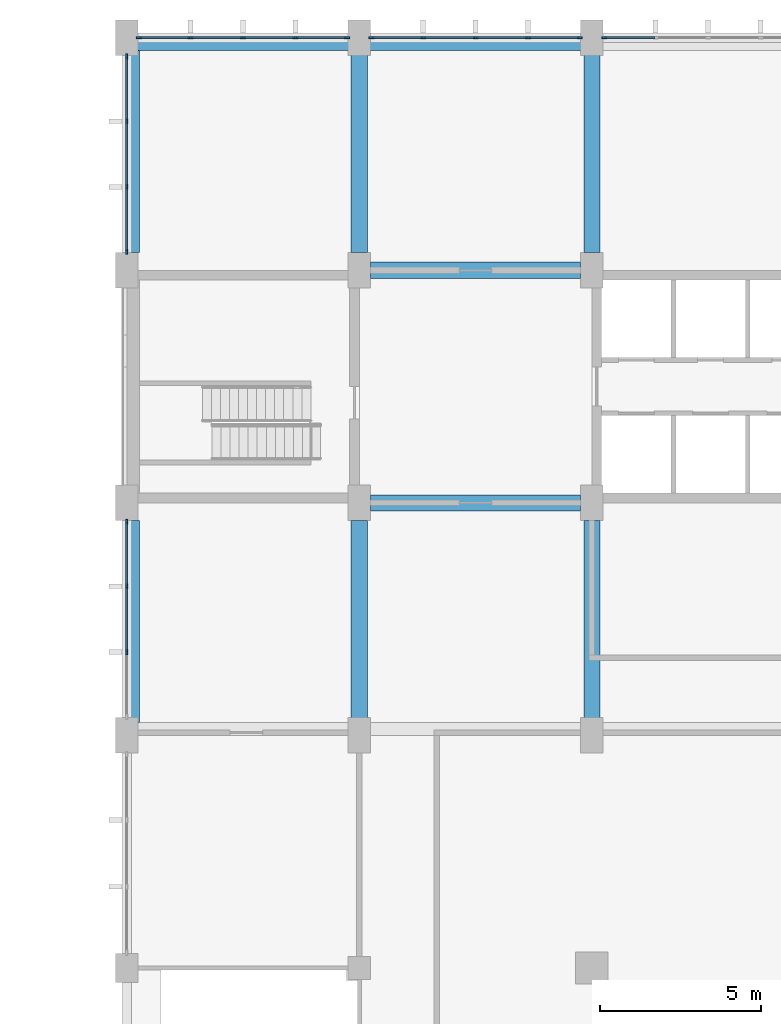
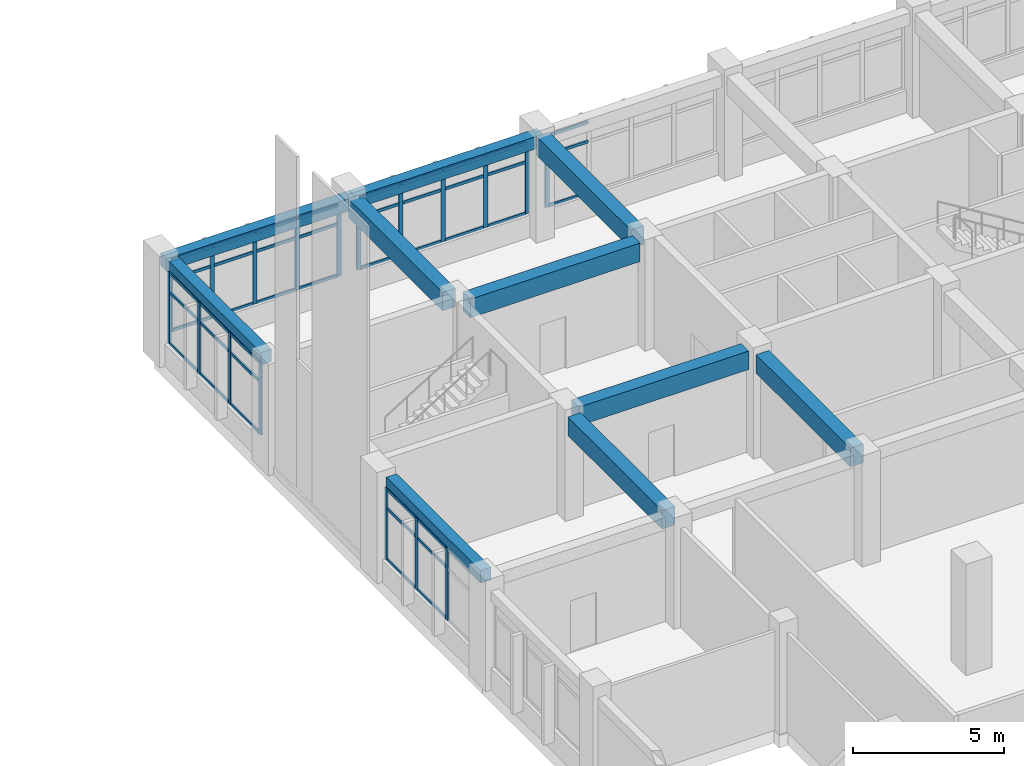
# One storey, part 17 of 52: 60 members, 10 beams, 5 elements without a shape of their own.
"""IFC4 building model written with IfcOpenShell, lengths in metres."""

from ifc_helpers import new_model, si_unit, direction, frame, origin, origin_2d, place, context, subcontext, project, spatial, rectangle, extrude, material, layer, layer_set, material_profile, profile_set, type_object, element, aggregate, save


model = new_model("IFC4")

# Units and contexts
model_context = context("Model", 3, precision=1e-05, world=origin(), true_north=direction((0.0, 1.0)))
body_context = subcontext(model_context, "Body", "Model", "MODEL_VIEW")
ifc_project = project(units=[si_unit("LENGTHUNIT", "METRE"), si_unit("AREAUNIT", "SQUARE_METRE"), si_unit("VOLUMEUNIT", "CUBIC_METRE"), si_unit("PLANEANGLEUNIT", "RADIAN"), si_unit("MASSUNIT", "GRAM", prefix="KILO")], contexts=[model_context])

# Site, building, storey
site_placement = place(None, origin())
site = spatial("IfcSite", under=ifc_project, at=site_placement, CompositionType="ELEMENT")
building_placement = place(site_placement, origin())
building = spatial("IfcBuilding", under=site, at=building_placement, Name="Vermilion Court Aquatics Centre", CompositionType="ELEMENT")
storey_placement = place(building_placement, frame((0.0, 0.0, 12.0)))
storey = spatial("IfcBuildingStorey", under=building, at=storey_placement, Name="L02", CompositionType="ELEMENT", Elevation=12.0)

# Beams
ifc_material_1 = material(Name="Concrete 6000 psi", Category="concrete")
ifc_material_profile_1 = material_profile(ifc_material_1, rectangle(XDim=0.39990234375, YDim=0.5, at=origin_2d()), Name="RC 400x500")
ifc_profile_set_1 = profile_set([ifc_material_profile_1], Name="Concrete 6000 psi")
beam_type_1 = type_object("IfcBeamType", Name="North block spandrel beam 400x500", PredefinedType="BEAM", material=ifc_profile_set_1)
for number, where, z_axis, x_axis, name in (
    (1, (144.0, 115.0, 3.949951171875), (1.0, 0.0, 0.0), (0.0, 1.0, 0.0), "Spandrel beam L03 x115.2"),
    (2, (151.199951171875, 115.0, 3.949951171875), (1.0, 0.0, 0.0), (0.0, 1.0, 0.0), "Spandrel beam L03 x115.2"),
):
    element("IfcBeam", number, at=place(storey_placement, frame(where, z_axis=z_axis, x_axis=x_axis)), inside=storey, type_object=beam_type_1, Name=name, PredefinedType="BEAM", context=body_context, shape_type="SweptSolid", body=[
        extrude(rectangle(XDim=0.39990234375, YDim=0.5, at=origin_2d()), origin(), (0.0, 0.0, 1.0), 7.199951171875),
    ])
for number, where, z_axis, x_axis, name in (
    (3, (144.199951171875, 94.0, 3.949951171875), (0.0, 1.0, 0.0), (-1.0, 0.0, 0.0), "Spandrel beam L03 y144.2"),
    (4, (144.199951171875, 108.550048828125, 3.949951171875), (0.0, 1.0, 0.0), (-1.0, 0.0, 0.0), "Spandrel beam L03 y144.2"),
):
    element("IfcBeam", number, at=place(storey_placement, frame(where, z_axis=z_axis, x_axis=x_axis)), inside=storey, type_object=beam_type_1, Name=name, PredefinedType="BEAM", context=body_context, shape_type="SweptSolid", body=[
        extrude(rectangle(XDim=0.39990234375, YDim=0.5, at=origin_2d()), origin(), (0.0, 0.0, 1.0), 6.25),
    ])
ifc_material_2 = material(Name="Concrete 8000 psi", Category="concrete")
ifc_material_profile_2 = material_profile(ifc_material_2, rectangle(XDim=0.5, YDim=0.75, at=origin_2d()), Name="RC 500x750")
ifc_profile_set_2 = profile_set([ifc_material_profile_2], Name="Concrete 8000 psi")
beam_type_2 = type_object("IfcBeamType", Name="North block transfer deck girder 500x750", PredefinedType="BEAM", material=ifc_profile_set_2)
for number, where, z_axis, x_axis, name in (
    (5, (151.550048828125, 100.800048828125, 3.824951171875), (1.0, 0.0, 0.0), (0.0, 1.0, 0.0), "Floor beam L03 x100.8"),
    (6, (151.550048828125, 108.0, 3.824951171875), (1.0, 0.0, 0.0), (0.0, 1.0, 0.0), "Floor beam L03 x108"),
):
    element("IfcBeam", number, at=place(storey_placement, frame(where, z_axis=z_axis, x_axis=x_axis)), inside=storey, type_object=beam_type_2, Name=name, PredefinedType="BEAM", context=body_context, shape_type="SweptSolid", body=[
        extrude(rectangle(XDim=0.5, YDim=0.75, at=origin_2d()), origin(), (0.0, 0.0, 1.0), 6.5),
    ])
for number, where, z_axis, x_axis, name in (
    (7, (151.199951171875, 94.0, 3.824951171875), (0.0, 1.0, 0.0), (-1.0, 0.0, 0.0), "Floor beam L03 y151.2"),
    (8, (151.199951171875, 108.550048828125, 3.824951171875), (0.0, 1.0, 0.0), (-1.0, 0.0, 0.0), "Floor beam L03 y151.2"),
    (9, (158.39990234375, 94.0, 3.824951171875), (0.0, 1.0, 0.0), (-1.0, 0.0, 0.0), "Floor beam L03 y158.4"),
    (10, (158.39990234375, 108.550048828125, 3.824951171875), (0.0, 1.0, 0.0), (-1.0, 0.0, 0.0), "Floor beam L03 y158.4"),
):
    element("IfcBeam", number, at=place(storey_placement, frame(where, z_axis=z_axis, x_axis=x_axis)), inside=storey, type_object=beam_type_2, Name=name, PredefinedType="BEAM", context=body_context, shape_type="SweptSolid", body=[
        extrude(rectangle(XDim=0.5, YDim=0.75, at=origin_2d()), origin(), (0.0, 0.0, 1.0), 6.25),
    ])

# Curtain wall, members
ifc_material_3 = material(Name="Aluminium 6063-T5", Category="aluminium")
ifc_layer = layer(ifc_material_3, 0.14990234375)
ifc_layer_set = layer_set([ifc_layer], Name="Podium curtain wall bay, 1800 module")
curtain_wall_type = type_object("IfcCurtainWallType", Name="Podium curtain wall bay, 1800 module", PredefinedType="NOTDEFINED", material=ifc_layer_set)
curtain_wall_1_placement = place(storey_placement, origin())
curtain_wall_1 = element("IfcCurtainWall", 11, at=curtain_wall_1_placement, inside=storey, type_object=curtain_wall_type, Name="Curtain wall L02", PredefinedType="NOTDEFINED")
ifc_material_4 = material(Name="Aluminium 6063-T5", Category="aluminium")
ifc_material_profile_3 = material_profile(ifc_material_4, rectangle(XDim=0.06005859375, YDim=0.159912109375, at=origin_2d()), Name="Mullion 60x160")
ifc_profile_set_3 = profile_set([ifc_material_profile_3], Name="Aluminium 6063-T5")
member_type_1 = type_object("IfcMemberType", Name="Podium curtain wall mullion 60x160", PredefinedType="MULLION", material=ifc_profile_set_3)
member_1_placement = place(storey_placement, frame((144.3798828125, 115.199951171875, 0.89990234375), z_axis=(0.0, 0.0, 1.0), x_axis=(0.0, 1.0, 0.0)))
member_1 = element("IfcMember", 12, at=member_1_placement, type_object=member_type_1, Name="PG2 mullion 1", PredefinedType="MULLION", context=body_context, shape_type="SweptSolid", body=[
    extrude(rectangle(XDim=0.06005859375, YDim=0.159912109375, at=origin_2d()), origin(), (0.0, 0.0, 1.0), 2.900146484375),
])
member_2_placement = place(storey_placement, frame((145.97509765625, 115.199951171875, 0.89990234375), z_axis=(0.0, 0.0, 1.0), x_axis=(0.0, 1.0, 0.0)))
member_2 = element("IfcMember", 13, at=member_2_placement, type_object=member_type_1, Name="PG2 mullion 2", PredefinedType="MULLION", context=body_context, shape_type="SweptSolid", body=[
    extrude(rectangle(XDim=0.06005859375, YDim=0.159912109375, at=origin_2d()), origin(), (0.0, 0.0, 1.0), 2.900146484375),
])
member_3_placement = place(storey_placement, frame((147.60009765625, 115.199951171875, 0.89990234375), z_axis=(0.0, 0.0, 1.0), x_axis=(0.0, 1.0, 0.0)))
member_3 = element("IfcMember", 14, at=member_3_placement, type_object=member_type_1, Name="PG2 mullion 3", PredefinedType="MULLION", context=body_context, shape_type="SweptSolid", body=[
    extrude(rectangle(XDim=0.06005859375, YDim=0.159912109375, at=origin_2d()), origin(), (0.0, 0.0, 1.0), 2.900146484375),
])
member_4_placement = place(storey_placement, frame((149.22509765625, 115.199951171875, 0.89990234375), z_axis=(0.0, 0.0, 1.0), x_axis=(0.0, 1.0, 0.0)))
member_4 = element("IfcMember", 15, at=member_4_placement, type_object=member_type_1, Name="PG2 mullion 4", PredefinedType="MULLION", context=body_context, shape_type="SweptSolid", body=[
    extrude(rectangle(XDim=0.06005859375, YDim=0.159912109375, at=origin_2d()), origin(), (0.0, 0.0, 1.0), 2.900146484375),
])
member_5_placement = place(storey_placement, frame((150.820068359375, 115.199951171875, 0.89990234375), z_axis=(0.0, 0.0, 1.0), x_axis=(0.0, 1.0, 0.0)))
member_5 = element("IfcMember", 16, at=member_5_placement, type_object=member_type_1, Name="PG2 mullion 5", PredefinedType="MULLION", context=body_context, shape_type="SweptSolid", body=[
    extrude(rectangle(XDim=0.06005859375, YDim=0.159912109375, at=origin_2d()), origin(), (0.0, 0.0, 1.0), 2.900146484375),
])

curtain_wall_2_placement = place(storey_placement, origin())
curtain_wall_2 = element("IfcCurtainWall", 17, at=curtain_wall_2_placement, inside=storey, type_object=curtain_wall_type, Name="Curtain wall L02", PredefinedType="NOTDEFINED")
member_6_placement = place(storey_placement, frame((151.580078125, 115.199951171875, 0.89990234375), z_axis=(0.0, 0.0, 1.0), x_axis=(0.0, 1.0, 0.0)))
member_6 = element("IfcMember", 18, at=member_6_placement, type_object=member_type_1, Name="PG2 mullion 1", PredefinedType="MULLION", context=body_context, shape_type="SweptSolid", body=[
    extrude(rectangle(XDim=0.06005859375, YDim=0.159912109375, at=origin_2d()), origin(), (0.0, 0.0, 1.0), 2.900146484375),
])
member_7_placement = place(storey_placement, frame((153.175048828125, 115.199951171875, 0.89990234375), z_axis=(0.0, 0.0, 1.0), x_axis=(0.0, 1.0, 0.0)))
member_7 = element("IfcMember", 19, at=member_7_placement, type_object=member_type_1, Name="PG2 mullion 2", PredefinedType="MULLION", context=body_context, shape_type="SweptSolid", body=[
    extrude(rectangle(XDim=0.06005859375, YDim=0.159912109375, at=origin_2d()), origin(), (0.0, 0.0, 1.0), 2.900146484375),
])
member_8_placement = place(storey_placement, frame((154.800048828125, 115.199951171875, 0.89990234375), z_axis=(0.0, 0.0, 1.0), x_axis=(0.0, 1.0, 0.0)))
member_8 = element("IfcMember", 20, at=member_8_placement, type_object=member_type_1, Name="PG2 mullion 3", PredefinedType="MULLION", context=body_context, shape_type="SweptSolid", body=[
    extrude(rectangle(XDim=0.06005859375, YDim=0.159912109375, at=origin_2d()), origin(), (0.0, 0.0, 1.0), 2.900146484375),
])
member_9_placement = place(storey_placement, frame((156.425048828125, 115.199951171875, 0.89990234375), z_axis=(0.0, 0.0, 1.0), x_axis=(0.0, 1.0, 0.0)))
member_9 = element("IfcMember", 21, at=member_9_placement, type_object=member_type_1, Name="PG2 mullion 4", PredefinedType="MULLION", context=body_context, shape_type="SweptSolid", body=[
    extrude(rectangle(XDim=0.06005859375, YDim=0.159912109375, at=origin_2d()), origin(), (0.0, 0.0, 1.0), 2.900146484375),
])
member_10_placement = place(storey_placement, frame((158.02001953125, 115.199951171875, 0.89990234375), z_axis=(0.0, 0.0, 1.0), x_axis=(0.0, 1.0, 0.0)))
member_10 = element("IfcMember", 22, at=member_10_placement, type_object=member_type_1, Name="PG2 mullion 5", PredefinedType="MULLION", context=body_context, shape_type="SweptSolid", body=[
    extrude(rectangle(XDim=0.06005859375, YDim=0.159912109375, at=origin_2d()), origin(), (0.0, 0.0, 1.0), 2.900146484375),
])

# Curtain wall, member
curtain_wall_3_placement = place(storey_placement, origin())
curtain_wall_3 = element("IfcCurtainWall", 23, at=curtain_wall_3_placement, inside=storey, type_object=curtain_wall_type, Name="Curtain wall L02", PredefinedType="NOTDEFINED")
member_11_placement = place(storey_placement, frame((158.780029296875, 115.199951171875, 0.89990234375), z_axis=(0.0, 0.0, 1.0), x_axis=(0.0, 1.0, 0.0)))
member_11 = element("IfcMember", 24, at=member_11_placement, type_object=member_type_1, Name="PG2 mullion 1", PredefinedType="MULLION", context=body_context, shape_type="SweptSolid", body=[
    extrude(rectangle(XDim=0.06005859375, YDim=0.159912109375, at=origin_2d()), origin(), (0.0, 0.0, 1.0), 2.900146484375),
])

# Curtain wall, members
curtain_wall_4_placement = place(storey_placement, origin())
curtain_wall_4 = element("IfcCurtainWall", 25, at=curtain_wall_4_placement, inside=storey, type_object=curtain_wall_type, Name="Curtain wall L02", PredefinedType="NOTDEFINED")
member_12_placement = place(storey_placement, frame((144.0, 96.183349609375, 0.89990234375), z_axis=(0.0, 0.0, 1.0), x_axis=(-1.0, 0.0, 0.0)))
member_12 = element("IfcMember", 26, at=member_12_placement, type_object=member_type_1, Name="PG2 mullion 2", PredefinedType="MULLION", context=body_context, shape_type="SweptSolid", body=[
    extrude(rectangle(XDim=0.06005859375, YDim=0.159912109375, at=origin_2d()), origin(), (0.0, 0.0, 1.0), 2.900146484375),
])
member_13_placement = place(storey_placement, frame((144.0, 98.216552734375, 0.89990234375), z_axis=(0.0, 0.0, 1.0), x_axis=(-1.0, 0.0, 0.0)))
member_13 = element("IfcMember", 27, at=member_13_placement, type_object=member_type_1, Name="PG2 mullion 3", PredefinedType="MULLION", context=body_context, shape_type="SweptSolid", body=[
    extrude(rectangle(XDim=0.06005859375, YDim=0.159912109375, at=origin_2d()), origin(), (0.0, 0.0, 1.0), 2.900146484375),
])
member_14_placement = place(storey_placement, frame((144.0, 100.219970703125, 0.89990234375), z_axis=(0.0, 0.0, 1.0), x_axis=(-1.0, 0.0, 0.0)))
member_14 = element("IfcMember", 28, at=member_14_placement, type_object=member_type_1, Name="PG2 mullion 4", PredefinedType="MULLION", context=body_context, shape_type="SweptSolid", body=[
    extrude(rectangle(XDim=0.06005859375, YDim=0.159912109375, at=origin_2d()), origin(), (0.0, 0.0, 1.0), 2.900146484375),
])

curtain_wall_5_placement = place(storey_placement, origin())
curtain_wall_5 = element("IfcCurtainWall", 29, at=curtain_wall_5_placement, inside=storey, type_object=curtain_wall_type, Name="Curtain wall L02", PredefinedType="NOTDEFINED")
member_15_placement = place(storey_placement, frame((144.0, 108.580078125, 0.89990234375), z_axis=(0.0, 0.0, 1.0), x_axis=(-1.0, 0.0, 0.0)))
member_15 = element("IfcMember", 30, at=member_15_placement, type_object=member_type_1, Name="PG2 mullion 1", PredefinedType="MULLION", context=body_context, shape_type="SweptSolid", body=[
    extrude(rectangle(XDim=0.06005859375, YDim=0.159912109375, at=origin_2d()), origin(), (0.0, 0.0, 1.0), 2.900146484375),
])
member_16_placement = place(storey_placement, frame((144.0, 110.583251953125, 0.89990234375), z_axis=(0.0, 0.0, 1.0), x_axis=(-1.0, 0.0, 0.0)))
member_16 = element("IfcMember", 31, at=member_16_placement, type_object=member_type_1, Name="PG2 mullion 2", PredefinedType="MULLION", context=body_context, shape_type="SweptSolid", body=[
    extrude(rectangle(XDim=0.06005859375, YDim=0.159912109375, at=origin_2d()), origin(), (0.0, 0.0, 1.0), 2.900146484375),
])
member_17_placement = place(storey_placement, frame((144.0, 112.61669921875, 0.89990234375), z_axis=(0.0, 0.0, 1.0), x_axis=(-1.0, 0.0, 0.0)))
member_17 = element("IfcMember", 32, at=member_17_placement, type_object=member_type_1, Name="PG2 mullion 3", PredefinedType="MULLION", context=body_context, shape_type="SweptSolid", body=[
    extrude(rectangle(XDim=0.06005859375, YDim=0.159912109375, at=origin_2d()), origin(), (0.0, 0.0, 1.0), 2.900146484375),
])
member_18_placement = place(storey_placement, frame((144.0, 114.6201171875, 0.89990234375), z_axis=(0.0, 0.0, 1.0), x_axis=(-1.0, 0.0, 0.0)))
member_18 = element("IfcMember", 33, at=member_18_placement, type_object=member_type_1, Name="PG2 mullion 4", PredefinedType="MULLION", context=body_context, shape_type="SweptSolid", body=[
    extrude(rectangle(XDim=0.06005859375, YDim=0.159912109375, at=origin_2d()), origin(), (0.0, 0.0, 1.0), 2.900146484375),
])

# Member
ifc_material_5 = material(Name="Aluminium 6063-T5", Category="aluminium")
ifc_material_profile_4 = material_profile(ifc_material_5, rectangle(XDim=0.06005859375, YDim=0.1201171875, at=origin_2d()), Name="Transom 60x120")
ifc_profile_set_4 = profile_set([ifc_material_profile_4], Name="Aluminium 6063-T5")
member_type_2 = type_object("IfcMemberType", Name="Podium curtain wall transom 60x120", PredefinedType="USERDEFINED", material=ifc_profile_set_4)
member_19_placement = place(storey_placement, frame((144.409912109375, 115.199951171875, 0.929931640625), z_axis=(1.0, 0.0, 0.0), x_axis=(0.0, 1.0, 0.0)))
member_19 = element("IfcMember", 34, at=member_19_placement, type_object=member_type_2, Name="PG2 transom 1.1", ObjectType="TRANSOM", PredefinedType="USERDEFINED", context=body_context, shape_type="SweptSolid", body=[
    extrude(rectangle(XDim=0.06005859375, YDim=0.1201171875, at=origin_2d()), origin(), (0.0, 0.0, 1.0), 1.53515625),
])

member_20_placement = place(storey_placement, frame((144.409912109375, 115.199951171875, 3.0), z_axis=(1.0, 0.0, 0.0), x_axis=(0.0, 1.0, 0.0)))
member_20 = element("IfcMember", 35, at=member_20_placement, type_object=member_type_2, Name="PG2 transom 1.2", ObjectType="TRANSOM", PredefinedType="USERDEFINED", context=body_context, shape_type="SweptSolid", body=[
    extrude(rectangle(XDim=0.06005859375, YDim=0.1201171875, at=origin_2d()), origin(), (0.0, 0.0, 1.0), 1.53515625),
])

member_21_placement = place(storey_placement, frame((144.409912109375, 115.199951171875, 3.77001953125), z_axis=(1.0, 0.0, 0.0), x_axis=(0.0, 1.0, 0.0)))
member_21 = element("IfcMember", 36, at=member_21_placement, type_object=member_type_2, Name="PG2 transom 1.3", ObjectType="TRANSOM", PredefinedType="USERDEFINED", context=body_context, shape_type="SweptSolid", body=[
    extrude(rectangle(XDim=0.06005859375, YDim=0.1201171875, at=origin_2d()), origin(), (0.0, 0.0, 1.0), 1.53515625),
])

member_22_placement = place(storey_placement, frame((146.0048828125, 115.199951171875, 0.929931640625), z_axis=(1.0, 0.0, 0.0), x_axis=(0.0, 1.0, 0.0)))
member_22 = element("IfcMember", 37, at=member_22_placement, type_object=member_type_2, Name="PG2 transom 2.1", ObjectType="TRANSOM", PredefinedType="USERDEFINED", context=body_context, shape_type="SweptSolid", body=[
    extrude(rectangle(XDim=0.06005859375, YDim=0.1201171875, at=origin_2d()), origin(), (0.0, 0.0, 1.0), 1.565185546875),
])

member_23_placement = place(storey_placement, frame((146.0048828125, 115.199951171875, 3.0), z_axis=(1.0, 0.0, 0.0), x_axis=(0.0, 1.0, 0.0)))
member_23 = element("IfcMember", 38, at=member_23_placement, type_object=member_type_2, Name="PG2 transom 2.2", ObjectType="TRANSOM", PredefinedType="USERDEFINED", context=body_context, shape_type="SweptSolid", body=[
    extrude(rectangle(XDim=0.06005859375, YDim=0.1201171875, at=origin_2d()), origin(), (0.0, 0.0, 1.0), 1.565185546875),
])

member_24_placement = place(storey_placement, frame((146.0048828125, 115.199951171875, 3.77001953125), z_axis=(1.0, 0.0, 0.0), x_axis=(0.0, 1.0, 0.0)))
member_24 = element("IfcMember", 39, at=member_24_placement, type_object=member_type_2, Name="PG2 transom 2.3", ObjectType="TRANSOM", PredefinedType="USERDEFINED", context=body_context, shape_type="SweptSolid", body=[
    extrude(rectangle(XDim=0.06005859375, YDim=0.1201171875, at=origin_2d()), origin(), (0.0, 0.0, 1.0), 1.565185546875),
])

member_25_placement = place(storey_placement, frame((147.6298828125, 115.199951171875, 0.929931640625), z_axis=(1.0, 0.0, 0.0), x_axis=(0.0, 1.0, 0.0)))
member_25 = element("IfcMember", 40, at=member_25_placement, type_object=member_type_2, Name="PG2 transom 3.1", ObjectType="TRANSOM", PredefinedType="USERDEFINED", context=body_context, shape_type="SweptSolid", body=[
    extrude(rectangle(XDim=0.06005859375, YDim=0.1201171875, at=origin_2d()), origin(), (0.0, 0.0, 1.0), 1.565185546875),
])

member_26_placement = place(storey_placement, frame((147.6298828125, 115.199951171875, 3.0), z_axis=(1.0, 0.0, 0.0), x_axis=(0.0, 1.0, 0.0)))
member_26 = element("IfcMember", 41, at=member_26_placement, type_object=member_type_2, Name="PG2 transom 3.2", ObjectType="TRANSOM", PredefinedType="USERDEFINED", context=body_context, shape_type="SweptSolid", body=[
    extrude(rectangle(XDim=0.06005859375, YDim=0.1201171875, at=origin_2d()), origin(), (0.0, 0.0, 1.0), 1.565185546875),
])

member_27_placement = place(storey_placement, frame((147.6298828125, 115.199951171875, 3.77001953125), z_axis=(1.0, 0.0, 0.0), x_axis=(0.0, 1.0, 0.0)))
member_27 = element("IfcMember", 42, at=member_27_placement, type_object=member_type_2, Name="PG2 transom 3.3", ObjectType="TRANSOM", PredefinedType="USERDEFINED", context=body_context, shape_type="SweptSolid", body=[
    extrude(rectangle(XDim=0.06005859375, YDim=0.1201171875, at=origin_2d()), origin(), (0.0, 0.0, 1.0), 1.565185546875),
])

member_28_placement = place(storey_placement, frame((149.2548828125, 115.199951171875, 0.929931640625), z_axis=(1.0, 0.0, 0.0), x_axis=(0.0, 1.0, 0.0)))
member_28 = element("IfcMember", 43, at=member_28_placement, type_object=member_type_2, Name="PG2 transom 4.1", ObjectType="TRANSOM", PredefinedType="USERDEFINED", context=body_context, shape_type="SweptSolid", body=[
    extrude(rectangle(XDim=0.06005859375, YDim=0.1201171875, at=origin_2d()), origin(), (0.0, 0.0, 1.0), 1.53515625),
])

member_29_placement = place(storey_placement, frame((149.2548828125, 115.199951171875, 3.0), z_axis=(1.0, 0.0, 0.0), x_axis=(0.0, 1.0, 0.0)))
member_29 = element("IfcMember", 44, at=member_29_placement, type_object=member_type_2, Name="PG2 transom 4.2", ObjectType="TRANSOM", PredefinedType="USERDEFINED", context=body_context, shape_type="SweptSolid", body=[
    extrude(rectangle(XDim=0.06005859375, YDim=0.1201171875, at=origin_2d()), origin(), (0.0, 0.0, 1.0), 1.53515625),
])

member_30_placement = place(storey_placement, frame((149.2548828125, 115.199951171875, 3.77001953125), z_axis=(1.0, 0.0, 0.0), x_axis=(0.0, 1.0, 0.0)))
member_30 = element("IfcMember", 45, at=member_30_placement, type_object=member_type_2, Name="PG2 transom 4.3", ObjectType="TRANSOM", PredefinedType="USERDEFINED", context=body_context, shape_type="SweptSolid", body=[
    extrude(rectangle(XDim=0.06005859375, YDim=0.1201171875, at=origin_2d()), origin(), (0.0, 0.0, 1.0), 1.53515625),
])

aggregate(curtain_wall_1, [member_1, member_2, member_3, member_4, member_5, member_19, member_20, member_21, member_22, member_23, member_24, member_25, member_26, member_27, member_28, member_29, member_30])

member_31_placement = place(storey_placement, frame((151.610107421875, 115.199951171875, 0.929931640625), z_axis=(1.0, 0.0, 0.0), x_axis=(0.0, 1.0, 0.0)))
member_31 = element("IfcMember", 46, at=member_31_placement, type_object=member_type_2, Name="PG2 transom 1.1", ObjectType="TRANSOM", PredefinedType="USERDEFINED", context=body_context, shape_type="SweptSolid", body=[
    extrude(rectangle(XDim=0.06005859375, YDim=0.1201171875, at=origin_2d()), origin(), (0.0, 0.0, 1.0), 1.534912109375),
])

member_32_placement = place(storey_placement, frame((151.610107421875, 115.199951171875, 3.0), z_axis=(1.0, 0.0, 0.0), x_axis=(0.0, 1.0, 0.0)))
member_32 = element("IfcMember", 47, at=member_32_placement, type_object=member_type_2, Name="PG2 transom 1.2", ObjectType="TRANSOM", PredefinedType="USERDEFINED", context=body_context, shape_type="SweptSolid", body=[
    extrude(rectangle(XDim=0.06005859375, YDim=0.1201171875, at=origin_2d()), origin(), (0.0, 0.0, 1.0), 1.534912109375),
])

member_33_placement = place(storey_placement, frame((151.610107421875, 115.199951171875, 3.77001953125), z_axis=(1.0, 0.0, 0.0), x_axis=(0.0, 1.0, 0.0)))
member_33 = element("IfcMember", 48, at=member_33_placement, type_object=member_type_2, Name="PG2 transom 1.3", ObjectType="TRANSOM", PredefinedType="USERDEFINED", context=body_context, shape_type="SweptSolid", body=[
    extrude(rectangle(XDim=0.06005859375, YDim=0.1201171875, at=origin_2d()), origin(), (0.0, 0.0, 1.0), 1.534912109375),
])

member_34_placement = place(storey_placement, frame((153.205078125, 115.199951171875, 0.929931640625), z_axis=(1.0, 0.0, 0.0), x_axis=(0.0, 1.0, 0.0)))
member_34 = element("IfcMember", 49, at=member_34_placement, type_object=member_type_2, Name="PG2 transom 2.1", ObjectType="TRANSOM", PredefinedType="USERDEFINED", context=body_context, shape_type="SweptSolid", body=[
    extrude(rectangle(XDim=0.06005859375, YDim=0.1201171875, at=origin_2d()), origin(), (0.0, 0.0, 1.0), 1.56494140625),
])

member_35_placement = place(storey_placement, frame((153.205078125, 115.199951171875, 3.0), z_axis=(1.0, 0.0, 0.0), x_axis=(0.0, 1.0, 0.0)))
member_35 = element("IfcMember", 50, at=member_35_placement, type_object=member_type_2, Name="PG2 transom 2.2", ObjectType="TRANSOM", PredefinedType="USERDEFINED", context=body_context, shape_type="SweptSolid", body=[
    extrude(rectangle(XDim=0.06005859375, YDim=0.1201171875, at=origin_2d()), origin(), (0.0, 0.0, 1.0), 1.56494140625),
])

member_36_placement = place(storey_placement, frame((153.205078125, 115.199951171875, 3.77001953125), z_axis=(1.0, 0.0, 0.0), x_axis=(0.0, 1.0, 0.0)))
member_36 = element("IfcMember", 51, at=member_36_placement, type_object=member_type_2, Name="PG2 transom 2.3", ObjectType="TRANSOM", PredefinedType="USERDEFINED", context=body_context, shape_type="SweptSolid", body=[
    extrude(rectangle(XDim=0.06005859375, YDim=0.1201171875, at=origin_2d()), origin(), (0.0, 0.0, 1.0), 1.56494140625),
])

member_37_placement = place(storey_placement, frame((154.830078125, 115.199951171875, 0.929931640625), z_axis=(1.0, 0.0, 0.0), x_axis=(0.0, 1.0, 0.0)))
member_37 = element("IfcMember", 52, at=member_37_placement, type_object=member_type_2, Name="PG2 transom 3.1", ObjectType="TRANSOM", PredefinedType="USERDEFINED", context=body_context, shape_type="SweptSolid", body=[
    extrude(rectangle(XDim=0.06005859375, YDim=0.1201171875, at=origin_2d()), origin(), (0.0, 0.0, 1.0), 1.56494140625),
])

member_38_placement = place(storey_placement, frame((154.830078125, 115.199951171875, 3.0), z_axis=(1.0, 0.0, 0.0), x_axis=(0.0, 1.0, 0.0)))
member_38 = element("IfcMember", 53, at=member_38_placement, type_object=member_type_2, Name="PG2 transom 3.2", ObjectType="TRANSOM", PredefinedType="USERDEFINED", context=body_context, shape_type="SweptSolid", body=[
    extrude(rectangle(XDim=0.06005859375, YDim=0.1201171875, at=origin_2d()), origin(), (0.0, 0.0, 1.0), 1.56494140625),
])

member_39_placement = place(storey_placement, frame((154.830078125, 115.199951171875, 3.77001953125), z_axis=(1.0, 0.0, 0.0), x_axis=(0.0, 1.0, 0.0)))
member_39 = element("IfcMember", 54, at=member_39_placement, type_object=member_type_2, Name="PG2 transom 3.3", ObjectType="TRANSOM", PredefinedType="USERDEFINED", context=body_context, shape_type="SweptSolid", body=[
    extrude(rectangle(XDim=0.06005859375, YDim=0.1201171875, at=origin_2d()), origin(), (0.0, 0.0, 1.0), 1.56494140625),
])

member_40_placement = place(storey_placement, frame((156.455078125, 115.199951171875, 0.929931640625), z_axis=(1.0, 0.0, 0.0), x_axis=(0.0, 1.0, 0.0)))
member_40 = element("IfcMember", 55, at=member_40_placement, type_object=member_type_2, Name="PG2 transom 4.1", ObjectType="TRANSOM", PredefinedType="USERDEFINED", context=body_context, shape_type="SweptSolid", body=[
    extrude(rectangle(XDim=0.06005859375, YDim=0.1201171875, at=origin_2d()), origin(), (0.0, 0.0, 1.0), 1.534912109375),
])

member_41_placement = place(storey_placement, frame((156.455078125, 115.199951171875, 3.0), z_axis=(1.0, 0.0, 0.0), x_axis=(0.0, 1.0, 0.0)))
member_41 = element("IfcMember", 56, at=member_41_placement, type_object=member_type_2, Name="PG2 transom 4.2", ObjectType="TRANSOM", PredefinedType="USERDEFINED", context=body_context, shape_type="SweptSolid", body=[
    extrude(rectangle(XDim=0.06005859375, YDim=0.1201171875, at=origin_2d()), origin(), (0.0, 0.0, 1.0), 1.534912109375),
])

member_42_placement = place(storey_placement, frame((156.455078125, 115.199951171875, 3.77001953125), z_axis=(1.0, 0.0, 0.0), x_axis=(0.0, 1.0, 0.0)))
member_42 = element("IfcMember", 57, at=member_42_placement, type_object=member_type_2, Name="PG2 transom 4.3", ObjectType="TRANSOM", PredefinedType="USERDEFINED", context=body_context, shape_type="SweptSolid", body=[
    extrude(rectangle(XDim=0.06005859375, YDim=0.1201171875, at=origin_2d()), origin(), (0.0, 0.0, 1.0), 1.534912109375),
])

aggregate(curtain_wall_2, [member_6, member_7, member_8, member_9, member_10, member_31, member_32, member_33, member_34, member_35, member_36, member_37, member_38, member_39, member_40, member_41, member_42])

member_43_placement = place(storey_placement, frame((158.81005859375, 115.199951171875, 0.929931640625), z_axis=(1.0, 0.0, 0.0), x_axis=(0.0, 1.0, 0.0)))
member_43 = element("IfcMember", 58, at=member_43_placement, type_object=member_type_2, Name="PG2 transom 1.1", ObjectType="TRANSOM", PredefinedType="USERDEFINED", context=body_context, shape_type="SweptSolid", body=[
    extrude(rectangle(XDim=0.06005859375, YDim=0.1201171875, at=origin_2d()), origin(), (0.0, 0.0, 1.0), 1.534912109375),
])

member_44_placement = place(storey_placement, frame((158.81005859375, 115.199951171875, 3.0), z_axis=(1.0, 0.0, 0.0), x_axis=(0.0, 1.0, 0.0)))
member_44 = element("IfcMember", 59, at=member_44_placement, type_object=member_type_2, Name="PG2 transom 1.2", ObjectType="TRANSOM", PredefinedType="USERDEFINED", context=body_context, shape_type="SweptSolid", body=[
    extrude(rectangle(XDim=0.06005859375, YDim=0.1201171875, at=origin_2d()), origin(), (0.0, 0.0, 1.0), 1.534912109375),
])

member_45_placement = place(storey_placement, frame((158.81005859375, 115.199951171875, 3.77001953125), z_axis=(1.0, 0.0, 0.0), x_axis=(0.0, 1.0, 0.0)))
member_45 = element("IfcMember", 60, at=member_45_placement, type_object=member_type_2, Name="PG2 transom 1.3", ObjectType="TRANSOM", PredefinedType="USERDEFINED", context=body_context, shape_type="SweptSolid", body=[
    extrude(rectangle(XDim=0.06005859375, YDim=0.1201171875, at=origin_2d()), origin(), (0.0, 0.0, 1.0), 1.534912109375),
])

aggregate(curtain_wall_3, [member_11, member_43, member_44, member_45])

member_46_placement = place(storey_placement, frame((144.0, 96.21337890625, 0.929931640625), z_axis=(0.0, 1.0, 0.0), x_axis=(-1.0, 0.0, 0.0)))
member_46 = element("IfcMember", 61, at=member_46_placement, type_object=member_type_2, Name="PG2 transom 2.1", ObjectType="TRANSOM", PredefinedType="USERDEFINED", context=body_context, shape_type="SweptSolid", body=[
    extrude(rectangle(XDim=0.06005859375, YDim=0.1201171875, at=origin_2d()), origin(), (0.0, 0.0, 1.0), 1.973388671875),
])

member_47_placement = place(storey_placement, frame((144.0, 96.21337890625, 3.0), z_axis=(0.0, 1.0, 0.0), x_axis=(-1.0, 0.0, 0.0)))
member_47 = element("IfcMember", 62, at=member_47_placement, type_object=member_type_2, Name="PG2 transom 2.2", ObjectType="TRANSOM", PredefinedType="USERDEFINED", context=body_context, shape_type="SweptSolid", body=[
    extrude(rectangle(XDim=0.06005859375, YDim=0.1201171875, at=origin_2d()), origin(), (0.0, 0.0, 1.0), 1.973388671875),
])

member_48_placement = place(storey_placement, frame((144.0, 96.21337890625, 3.77001953125), z_axis=(0.0, 1.0, 0.0), x_axis=(-1.0, 0.0, 0.0)))
member_48 = element("IfcMember", 63, at=member_48_placement, type_object=member_type_2, Name="PG2 transom 2.3", ObjectType="TRANSOM", PredefinedType="USERDEFINED", context=body_context, shape_type="SweptSolid", body=[
    extrude(rectangle(XDim=0.06005859375, YDim=0.1201171875, at=origin_2d()), origin(), (0.0, 0.0, 1.0), 1.973388671875),
])

member_49_placement = place(storey_placement, frame((144.0, 98.24658203125, 0.929931640625), z_axis=(0.0, 1.0, 0.0), x_axis=(-1.0, 0.0, 0.0)))
member_49 = element("IfcMember", 64, at=member_49_placement, type_object=member_type_2, Name="PG2 transom 3.1", ObjectType="TRANSOM", PredefinedType="USERDEFINED", context=body_context, shape_type="SweptSolid", body=[
    extrude(rectangle(XDim=0.06005859375, YDim=0.1201171875, at=origin_2d()), origin(), (0.0, 0.0, 1.0), 1.943359375),
])

member_50_placement = place(storey_placement, frame((144.0, 98.24658203125, 3.0), z_axis=(0.0, 1.0, 0.0), x_axis=(-1.0, 0.0, 0.0)))
member_50 = element("IfcMember", 65, at=member_50_placement, type_object=member_type_2, Name="PG2 transom 3.2", ObjectType="TRANSOM", PredefinedType="USERDEFINED", context=body_context, shape_type="SweptSolid", body=[
    extrude(rectangle(XDim=0.06005859375, YDim=0.1201171875, at=origin_2d()), origin(), (0.0, 0.0, 1.0), 1.943359375),
])

member_51_placement = place(storey_placement, frame((144.0, 98.24658203125, 3.77001953125), z_axis=(0.0, 1.0, 0.0), x_axis=(-1.0, 0.0, 0.0)))
member_51 = element("IfcMember", 66, at=member_51_placement, type_object=member_type_2, Name="PG2 transom 3.3", ObjectType="TRANSOM", PredefinedType="USERDEFINED", context=body_context, shape_type="SweptSolid", body=[
    extrude(rectangle(XDim=0.06005859375, YDim=0.1201171875, at=origin_2d()), origin(), (0.0, 0.0, 1.0), 1.943359375),
])

aggregate(curtain_wall_4, [member_12, member_13, member_14, member_46, member_47, member_48, member_49, member_50, member_51])

member_52_placement = place(storey_placement, frame((144.0, 108.610107421875, 0.929931640625), z_axis=(0.0, 1.0, 0.0), x_axis=(-1.0, 0.0, 0.0)))
member_52 = element("IfcMember", 67, at=member_52_placement, type_object=member_type_2, Name="PG2 transom 1.1", ObjectType="TRANSOM", PredefinedType="USERDEFINED", context=body_context, shape_type="SweptSolid", body=[
    extrude(rectangle(XDim=0.06005859375, YDim=0.1201171875, at=origin_2d()), origin(), (0.0, 0.0, 1.0), 1.943115234375),
])

member_53_placement = place(storey_placement, frame((144.0, 108.610107421875, 3.0), z_axis=(0.0, 1.0, 0.0), x_axis=(-1.0, 0.0, 0.0)))
member_53 = element("IfcMember", 68, at=member_53_placement, type_object=member_type_2, Name="PG2 transom 1.2", ObjectType="TRANSOM", PredefinedType="USERDEFINED", context=body_context, shape_type="SweptSolid", body=[
    extrude(rectangle(XDim=0.06005859375, YDim=0.1201171875, at=origin_2d()), origin(), (0.0, 0.0, 1.0), 1.943115234375),
])

member_54_placement = place(storey_placement, frame((144.0, 108.610107421875, 3.77001953125), z_axis=(0.0, 1.0, 0.0), x_axis=(-1.0, 0.0, 0.0)))
member_54 = element("IfcMember", 69, at=member_54_placement, type_object=member_type_2, Name="PG2 transom 1.3", ObjectType="TRANSOM", PredefinedType="USERDEFINED", context=body_context, shape_type="SweptSolid", body=[
    extrude(rectangle(XDim=0.06005859375, YDim=0.1201171875, at=origin_2d()), origin(), (0.0, 0.0, 1.0), 1.943115234375),
])

member_55_placement = place(storey_placement, frame((144.0, 110.61328125, 0.929931640625), z_axis=(0.0, 1.0, 0.0), x_axis=(-1.0, 0.0, 0.0)))
member_55 = element("IfcMember", 70, at=member_55_placement, type_object=member_type_2, Name="PG2 transom 2.1", ObjectType="TRANSOM", PredefinedType="USERDEFINED", context=body_context, shape_type="SweptSolid", body=[
    extrude(rectangle(XDim=0.06005859375, YDim=0.1201171875, at=origin_2d()), origin(), (0.0, 0.0, 1.0), 1.973388671875),
])

member_56_placement = place(storey_placement, frame((144.0, 110.61328125, 3.0), z_axis=(0.0, 1.0, 0.0), x_axis=(-1.0, 0.0, 0.0)))
member_56 = element("IfcMember", 71, at=member_56_placement, type_object=member_type_2, Name="PG2 transom 2.2", ObjectType="TRANSOM", PredefinedType="USERDEFINED", context=body_context, shape_type="SweptSolid", body=[
    extrude(rectangle(XDim=0.06005859375, YDim=0.1201171875, at=origin_2d()), origin(), (0.0, 0.0, 1.0), 1.973388671875),
])

member_57_placement = place(storey_placement, frame((144.0, 110.61328125, 3.77001953125), z_axis=(0.0, 1.0, 0.0), x_axis=(-1.0, 0.0, 0.0)))
member_57 = element("IfcMember", 72, at=member_57_placement, type_object=member_type_2, Name="PG2 transom 2.3", ObjectType="TRANSOM", PredefinedType="USERDEFINED", context=body_context, shape_type="SweptSolid", body=[
    extrude(rectangle(XDim=0.06005859375, YDim=0.1201171875, at=origin_2d()), origin(), (0.0, 0.0, 1.0), 1.973388671875),
])

member_58_placement = place(storey_placement, frame((144.0, 112.646728515625, 0.929931640625), z_axis=(0.0, 1.0, 0.0), x_axis=(-1.0, 0.0, 0.0)))
member_58 = element("IfcMember", 73, at=member_58_placement, type_object=member_type_2, Name="PG2 transom 3.1", ObjectType="TRANSOM", PredefinedType="USERDEFINED", context=body_context, shape_type="SweptSolid", body=[
    extrude(rectangle(XDim=0.06005859375, YDim=0.1201171875, at=origin_2d()), origin(), (0.0, 0.0, 1.0), 1.943359375),
])

member_59_placement = place(storey_placement, frame((144.0, 112.646728515625, 3.0), z_axis=(0.0, 1.0, 0.0), x_axis=(-1.0, 0.0, 0.0)))
member_59 = element("IfcMember", 74, at=member_59_placement, type_object=member_type_2, Name="PG2 transom 3.2", ObjectType="TRANSOM", PredefinedType="USERDEFINED", context=body_context, shape_type="SweptSolid", body=[
    extrude(rectangle(XDim=0.06005859375, YDim=0.1201171875, at=origin_2d()), origin(), (0.0, 0.0, 1.0), 1.943359375),
])

member_60_placement = place(storey_placement, frame((144.0, 112.646728515625, 3.77001953125), z_axis=(0.0, 1.0, 0.0), x_axis=(-1.0, 0.0, 0.0)))
member_60 = element("IfcMember", 75, at=member_60_placement, type_object=member_type_2, Name="PG2 transom 3.3", ObjectType="TRANSOM", PredefinedType="USERDEFINED", context=body_context, shape_type="SweptSolid", body=[
    extrude(rectangle(XDim=0.06005859375, YDim=0.1201171875, at=origin_2d()), origin(), (0.0, 0.0, 1.0), 1.943359375),
])

aggregate(curtain_wall_5, [member_15, member_16, member_17, member_18, member_52, member_53, member_54, member_55, member_56, member_57, member_58, member_59, member_60])

save(model, "model.ifc")
